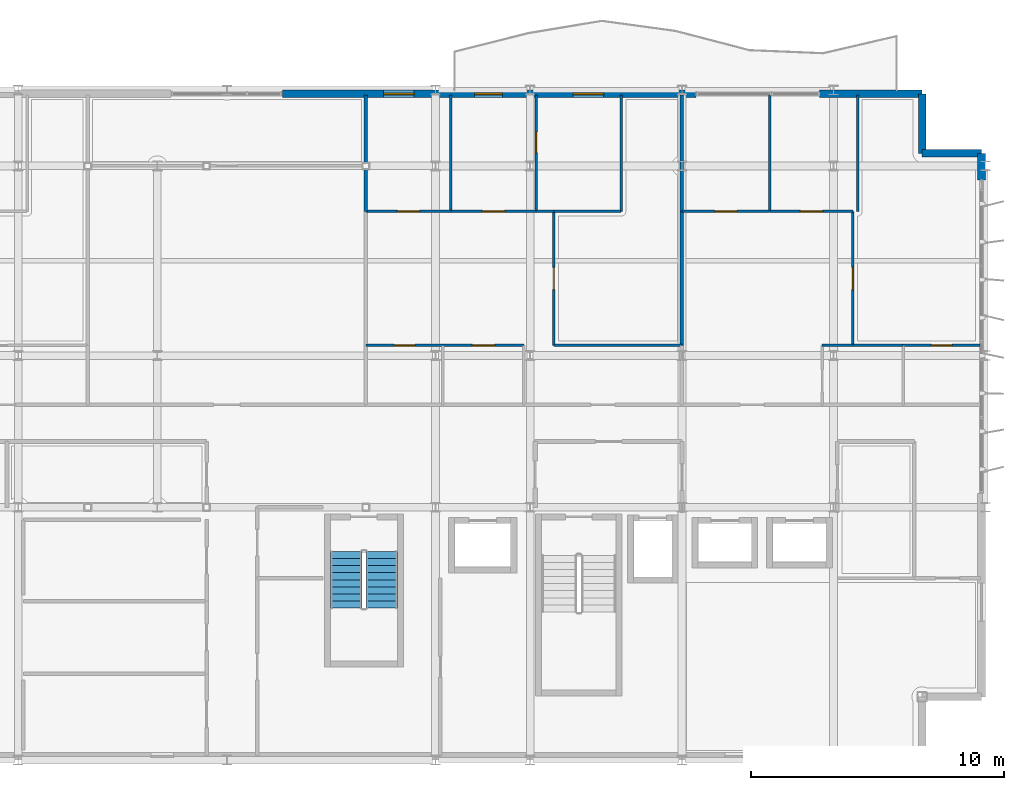
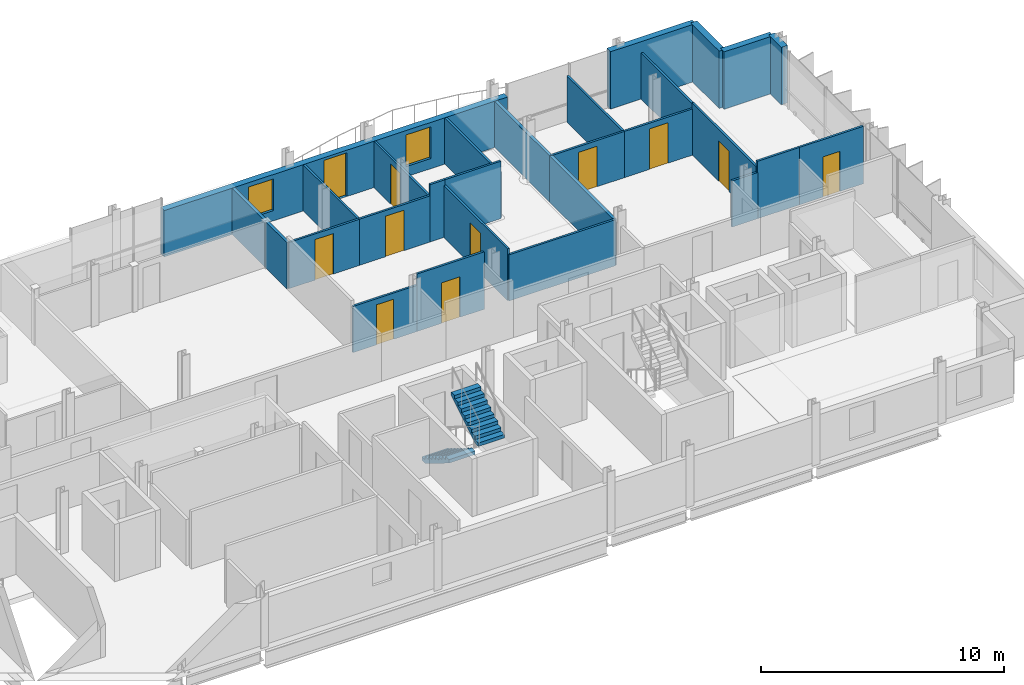
# One storey, part 30 of 35: 28 walls, 11 doors, 2 stair flights, 2 windows, 13 openings, 1 element without a shape of its own.
"""IFC4 building model written with IfcOpenShell, lengths in metres."""

from ifc_helpers import new_model, si_unit, direction, frame, frame_2d, origin, place, context, subcontext, project, spatial, polyline, rectangle, outline, extrude, material, layer, layer_set, type_object, element, fill, aggregate, save


model = new_model("IFC4")

# Units and contexts
model_context = context("Model", 3, precision=1e-05, world=origin(), true_north=direction((0.0, 1.0)))
body_context = subcontext(model_context, "Body", "Model", "MODEL_VIEW")
ifc_project = project(units=[si_unit("LENGTHUNIT", "METRE"), si_unit("AREAUNIT", "SQUARE_METRE"), si_unit("VOLUMEUNIT", "CUBIC_METRE"), si_unit("PLANEANGLEUNIT", "RADIAN"), si_unit("MASSUNIT", "GRAM", prefix="KILO")], contexts=[model_context])

# Site, building, storey
site_placement = place(None, origin())
site = spatial("IfcSite", under=ifc_project, at=site_placement, CompositionType="ELEMENT")
building_placement = place(site_placement, origin())
building = spatial("IfcBuilding", under=site, at=building_placement, Name="Brevholm Reach", CompositionType="ELEMENT")
storey_placement = place(building_placement, frame((0.0, 0.0, 218.0)))
storey = spatial("IfcBuildingStorey", under=building, at=storey_placement, Name="L66", CompositionType="ELEMENT", Elevation=218.0)

# Walls
ifc_material_1 = material(Name="Concrete C40/50", Category="concrete")
ifc_layer_1 = layer(ifc_material_1, 0.300048828125)
ifc_layer_set_1 = layer_set([ifc_layer_1], Name="Concrete C40/50")
wall_type_1 = type_object("IfcWallType", Name="WAL-EXT-300", PredefinedType="STANDARD", material=ifc_layer_set_1)
for number, where, z_axis, x_axis, name in (
    (1, (59.85009765625, 24.0, 0.0), (0.0, 0.0, 1.0), (-1.0, 0.0, 0.0), "L66 Facade Wall WAL-L66-CNE1"),
    (2, (57.5, 24.0, 0.0), (0.0, 0.0, 1.0), (0.0, 1.0, 0.0), "L66 Facade Wall WAL-L66-CNE2"),
):
    element("IfcWall", number, at=place(storey_placement, frame(where, z_axis=z_axis, x_axis=x_axis)), inside=storey, type_object=wall_type_1, Name=name, PredefinedType="STANDARD", context=body_context, shape_type="SweptSolid", body=[
        extrude(rectangle(XDim=2.35009765625, YDim=0.300048828125, at=frame_2d((1.175048828125, 0.0))), origin(), (0.0, 0.0, 1.0), 2.889892578125),
    ])
wall_1_placement = place(storey_placement, frame((59.85009765625, 22.949951171875, 0.0), z_axis=(0.0, 0.0, 1.0), x_axis=(0.0, 1.0, 0.0)))
element("IfcWall", 3, at=wall_1_placement, inside=storey, type_object=wall_type_1, Name="L66 Facade Wall WAL-L66-E-N", PredefinedType="STANDARD", context=body_context, shape_type="SweptSolid", body=[
    extrude(rectangle(XDim=1.050048828125, YDim=0.300048828125, at=frame_2d((0.52490234375, 0.0))), origin(), (0.0, 0.0, 1.0), 2.889892578125),
])
wall_2_placement = place(storey_placement, frame((53.449951171875, 26.35009765625, 0.0), z_axis=(0.0, 0.0, 1.0), x_axis=(1.0, 0.0, 0.0)))
element("IfcWall", 4, at=wall_2_placement, inside=storey, type_object=wall_type_1, Name="L66 Facade Wall WAL-L66-NP-E0", PredefinedType="STANDARD", context=body_context, shape_type="SweptSolid", body=[
    extrude(rectangle(XDim=4.050048828125, YDim=0.300048828125, at=frame_2d((2.02490234375, 0.0))), origin(), (0.0, 0.0, 1.0), 2.889892578125),
])

# Wall, openings, door, windows
wall_3_placement = place(storey_placement, frame((32.199951171875, 26.35009765625, 0.0), z_axis=(0.0, 0.0, 1.0), x_axis=(1.0, 0.0, 0.0)))
wall_3 = element("IfcWall", 5, at=wall_3_placement, inside=storey, type_object=wall_type_1, Name="L66 Facade Wall WAL-L66-NP-ER", PredefinedType="STANDARD", context=body_context, shape_type="SweptSolid", body=[
    extrude(rectangle(XDim=16.35009765625, YDim=0.300048828125, at=frame_2d((8.175048828125, 0.0))), origin(), (0.0, 0.0, 1.0), 2.331787109375),
])
opening_1_placement = place(wall_3_placement, frame((7.60009765625, 0.0, 0.0)))
opening_1 = element("IfcOpeningElement", 6, at=opening_1_placement, cuts=wall_3, Name="Opening BD-01", PredefinedType="OPENING", context=body_context, shape_type="SweptSolid", body=[
    extrude(rectangle(XDim=1.10009765625, YDim=2.199951171875, at=frame_2d((0.550048828125, 1.10009765625))), frame((0.0, 0.159912109375, 0.0), z_axis=(0.0, -1.0, 0.0), x_axis=(1.0, 0.0, 0.0)), (0.0, 0.0, 1.0), 0.320068359375),
])
opening_2_placement = place(wall_3_placement, frame((11.5, 0.0, 0.511962890625)))
opening_2 = element("IfcOpeningElement", 7, at=opening_2_placement, cuts=wall_3, Name="Opening WN-08", PredefinedType="OPENING", context=body_context, shape_type="SweptSolid", body=[
    extrude(rectangle(XDim=1.199951171875, YDim=1.60009765625, at=frame_2d((0.60009765625, 0.800048828125))), frame((0.0, 0.159912109375, 0.0), z_axis=(0.0, -1.0, 0.0), x_axis=(1.0, 0.0, 0.0)), (0.0, 0.0, 1.0), 0.320068359375),
])
opening_3_placement = place(wall_3_placement, frame((4.00634765625, 0.0, 0.511962890625)))
opening_3 = element("IfcOpeningElement", 8, at=opening_3_placement, cuts=wall_3, Name="Opening WN-08", PredefinedType="OPENING", context=body_context, shape_type="SweptSolid", body=[
    extrude(rectangle(XDim=1.199951171875, YDim=1.60009765625, at=frame_2d((0.60009765625, 0.800048828125))), frame((0.0, 0.159912109375, 0.0), z_axis=(0.0, -1.0, 0.0), x_axis=(1.0, 0.0, 0.0)), (0.0, 0.0, 1.0), 0.320068359375),
])
ifc_material_2 = material(Name="Dark Anodised Aluminium and Triple-Glazed Glass", Category="aluminium")
door_type_1 = type_object("IfcDoorType", Name="DOR-BALC-1100", OperationType="NOTDEFINED", PredefinedType="DOOR", material=ifc_material_2)
door_1_placement = place(opening_1_placement, origin())
door_1 = element("IfcDoor", 9, at=door_1_placement, inside=storey, type_object=door_type_1, Name="L66 Exterior Door DOR-L66-BL-NE", OperationType="SINGLE_SWING_LEFT", OverallHeight=2.199951171875, OverallWidth=1.10009765625, PredefinedType="DOOR", context=body_context, shape_type="SweptSolid", body=[
    extrude(rectangle(XDim=1.10009765625, YDim=2.199951171875, at=frame_2d((0.550048828125, 1.10009765625))), frame((0.0, 0.02490234375, 0.0), z_axis=(0.0, -1.0, 0.0), x_axis=(1.0, 0.0, 0.0)), (0.0, 0.0, 1.0), 0.050048828125),
])
fill(opening_1, door_1)
ifc_material_3 = material(Name="Dark Anodised Aluminium and Solar-Control IGU Glass", Category="aluminium")
window_type = type_object("IfcWindowType", Name="WIN-RES-1200", PartitioningType="SINGLE_PANEL", PredefinedType="WINDOW", material=ifc_material_3)
window_1_placement = place(opening_2_placement, origin())
window_1 = element("IfcWindow", 10, at=window_1_placement, inside=storey, type_object=window_type, Name="L66 Window WIN-L66-NP-ER1", OverallHeight=1.60009765625, OverallWidth=1.199951171875, PartitioningType="SINGLE_PANEL", PredefinedType="WINDOW", context=body_context, shape_type="SweptSolid", body=[
    extrude(rectangle(XDim=1.199951171875, YDim=1.60009765625, at=frame_2d((0.60009765625, 0.800048828125))), frame((0.0, 0.030029296875, 0.0), z_axis=(0.0, -1.0, 0.0), x_axis=(1.0, 0.0, 0.0)), (0.0, 0.0, 1.0), 0.06005859375),
])
fill(opening_2, window_1)
window_2_placement = place(opening_3_placement, origin())
window_2 = element("IfcWindow", 11, at=window_2_placement, inside=storey, type_object=window_type, Name="L66 Bedroom Window 074", OverallHeight=1.60009765625, OverallWidth=1.199951171875, PartitioningType="SINGLE_PANEL", PredefinedType="WINDOW", context=body_context, shape_type="SweptSolid", body=[
    extrude(rectangle(XDim=1.199951171875, YDim=1.60009765625, at=frame_2d((0.60009765625, 0.800048828125))), frame((0.0, 0.030029296875, 0.0), z_axis=(0.0, -1.0, 0.0), x_axis=(1.0, 0.0, 0.0)), (0.0, 0.0, 1.0), 0.06005859375),
])
fill(opening_3, window_2)

# Wall, opening, door
ifc_material_4 = material(Name="Moisture-Resistant Acoustic Gypsum Stud Partition 100 mm", Category="gypsum")
ifc_layer_2 = layer(ifc_material_4, 0.10009765625)
ifc_layer_set_2 = layer_set([ifc_layer_2], Name="Moisture-Resistant Acoustic Gypsum Stud Partition 100 mm")
wall_type_2 = type_object("IfcWallType", Name="WAL-PRT-100", PredefinedType="PARTITIONING", material=ifc_layer_set_2)
wall_4_placement = place(storey_placement, frame((35.50390625, 16.39990234375, 0.0), z_axis=(0.0, 0.0, 1.0), x_axis=(1.0, 0.0, 0.0)))
wall_4 = element("IfcWall", 12, at=wall_4_placement, inside=storey, type_object=wall_type_2, Name="L66 Internal Partition 090", PredefinedType="PARTITIONING", context=body_context, shape_type="SweptSolid", body=[
    extrude(rectangle(XDim=3.046142578125, YDim=0.10009765625, at=frame_2d((1.52294921875, 0.0))), origin(), (0.0, 0.0, 1.0), 2.325439453125),
])
opening_4_placement = place(wall_4_placement, frame((1.113037109375, 0.0, 0.0)))
opening_4 = element("IfcOpeningElement", 13, at=opening_4_placement, cuts=wall_4, Name="Opening ID-03", PredefinedType="OPENING", context=body_context, shape_type="SweptSolid", body=[
    extrude(rectangle(XDim=0.820068359375, YDim=2.02001953125, at=frame_2d((0.41015625, 1.010009765625))), frame((0.0, 0.06005859375, 0.0), z_axis=(0.0, -1.0, 0.0), x_axis=(1.0, 0.0, 0.0)), (0.0, 0.0, 1.0), 0.1201171875),
])
ifc_material_5 = material(Name="Moisture-Resistant Painted Timber Internal Bathroom Door", Category="wood")
door_type_2 = type_object("IfcDoorType", Name="DOR-BATH-820", OperationType="NOTDEFINED", PredefinedType="DOOR", material=ifc_material_5)
door_2_placement = place(opening_4_placement, origin())
door_2 = element("IfcDoor", 14, at=door_2_placement, inside=storey, type_object=door_type_2, Name="L66 Internal Door 035", OperationType="SINGLE_SWING_RIGHT", OverallHeight=2.02001953125, OverallWidth=0.820068359375, PredefinedType="DOOR", context=body_context, shape_type="SweptSolid", body=[
    extrude(rectangle(XDim=0.820068359375, YDim=2.02001953125, at=frame_2d((0.41015625, 1.010009765625))), frame((0.0, 0.02490234375, 0.0), z_axis=(0.0, -1.0, 0.0), x_axis=(1.0, 0.0, 0.0)), (0.0, 0.0, 1.0), 0.050048828125),
])
fill(opening_4, door_2)

wall_5_placement = place(storey_placement, frame((38.553955078125, 16.39990234375, 0.0), z_axis=(0.0, 0.0, 1.0), x_axis=(1.0, 0.0, 0.0)))
wall_5 = element("IfcWall", 15, at=wall_5_placement, inside=storey, type_object=wall_type_2, Name="L66 Internal Partition 092", PredefinedType="PARTITIONING", context=body_context, shape_type="SweptSolid", body=[
    extrude(rectangle(XDim=3.196044921875, YDim=0.10009765625, at=frame_2d((1.59814453125, 0.0))), origin(), (0.0, 0.0, 1.0), 2.889892578125),
])
opening_5_placement = place(wall_5_placement, frame((1.157958984375, 0.0, 0.0)))
opening_5 = element("IfcOpeningElement", 16, at=opening_5_placement, cuts=wall_5, Name="Opening ID-01", PredefinedType="OPENING", context=body_context, shape_type="SweptSolid", body=[
    extrude(rectangle(XDim=0.8798828125, YDim=2.0400390625, at=frame_2d((0.43994140625, 1.02001953125))), frame((0.0, 0.06005859375, 0.0), z_axis=(0.0, -1.0, 0.0), x_axis=(1.0, 0.0, 0.0)), (0.0, 0.0, 1.0), 0.1201171875),
])
ifc_material_6 = material(Name="Lacquered Ash Solid-Core Acoustic Internal Door", Category="timber")
door_type_3 = type_object("IfcDoorType", Name="DOR-INT-880", OperationType="NOTDEFINED", PredefinedType="DOOR", material=ifc_material_6)
door_3_placement = place(opening_5_placement, origin())
door_3 = element("IfcDoor", 17, at=door_3_placement, inside=storey, type_object=door_type_3, Name="L66 Internal Door 036", OperationType="SINGLE_SWING_LEFT", OverallHeight=2.0400390625, OverallWidth=0.8798828125, PredefinedType="DOOR", context=body_context, shape_type="SweptSolid", body=[
    extrude(rectangle(XDim=0.8798828125, YDim=2.0400390625, at=frame_2d((0.43994140625, 1.02001953125))), frame((0.0, 0.02490234375, 0.0), z_axis=(0.0, -1.0, 0.0), x_axis=(1.0, 0.0, 0.0)), (0.0, 0.0, 1.0), 0.050048828125),
])
fill(opening_5, door_3)

# Wall
wall_6_placement = place(storey_placement, frame((38.866943359375, 21.699951171875, 0.0), z_axis=(0.0, 0.0, 1.0), x_axis=(0.0, 1.0, 0.0)))
element("IfcWall", 18, at=wall_6_placement, inside=storey, type_object=wall_type_2, Name="L66 Internal Partition 093", PredefinedType="PARTITIONING", context=body_context, shape_type="SweptSolid", body=[
    extrude(rectangle(XDim=4.60009765625, YDim=0.10009765625, at=frame_2d((2.300048828125, 0.0))), origin(), (0.0, 0.0, 1.0), 2.325439453125),
])

# Wall, opening, door
wall_7_placement = place(storey_placement, frame((35.50390625, 21.699951171875, 0.0), z_axis=(0.0, 0.0, 1.0), x_axis=(1.0, 0.0, 0.0)))
wall_7 = element("IfcWall", 19, at=wall_7_placement, inside=storey, type_object=wall_type_2, Name="L66 Internal Partition 094", PredefinedType="PARTITIONING", context=body_context, shape_type="SweptSolid", body=[
    extrude(rectangle(XDim=3.363037109375, YDim=0.10009765625, at=frame_2d((1.681640625, 0.0))), origin(), (0.0, 0.0, 1.0), 2.325439453125),
])
opening_6_placement = place(wall_7_placement, frame((1.241455078125, 0.0, 0.0)))
opening_6 = element("IfcOpeningElement", 20, at=opening_6_placement, cuts=wall_7, Name="Opening ID-01", PredefinedType="OPENING", context=body_context, shape_type="SweptSolid", body=[
    extrude(rectangle(XDim=0.8798828125, YDim=2.0400390625, at=frame_2d((0.43994140625, 1.02001953125))), frame((0.0, 0.06005859375, 0.0), z_axis=(0.0, -1.0, 0.0), x_axis=(1.0, 0.0, 0.0)), (0.0, 0.0, 1.0), 0.1201171875),
])
door_4_placement = place(opening_6_placement, origin())
door_4 = element("IfcDoor", 21, at=door_4_placement, inside=storey, type_object=door_type_3, Name="L66 Internal Door 037", OperationType="SINGLE_SWING_RIGHT", OverallHeight=2.0400390625, OverallWidth=0.8798828125, PredefinedType="DOOR", context=body_context, shape_type="SweptSolid", body=[
    extrude(rectangle(XDim=0.8798828125, YDim=2.0400390625, at=frame_2d((0.43994140625, 1.02001953125))), frame((0.0, 0.02490234375, 0.0), z_axis=(0.0, -1.0, 0.0), x_axis=(1.0, 0.0, 0.0)), (0.0, 0.0, 1.0), 0.050048828125),
])
fill(opening_6, door_4)

wall_8_placement = place(storey_placement, frame((42.23388671875, 21.699951171875, 0.0), z_axis=(0.0, 0.0, 1.0), x_axis=(0.0, 1.0, 0.0)))
wall_8 = element("IfcWall", 22, at=wall_8_placement, inside=storey, type_object=wall_type_2, Name="L66 Internal Partition 095", PredefinedType="PARTITIONING", context=body_context, shape_type="SweptSolid", body=[
    extrude(rectangle(XDim=4.60009765625, YDim=0.10009765625, at=frame_2d((2.300048828125, 0.0))), origin(), (0.0, 0.0, 1.0), 2.325439453125),
])
opening_7_placement = place(wall_8_placement, frame((2.330078125, 0.0, 0.0)))
opening_7 = element("IfcOpeningElement", 23, at=opening_7_placement, cuts=wall_8, Name="Opening ID-03", PredefinedType="OPENING", context=body_context, shape_type="SweptSolid", body=[
    extrude(rectangle(XDim=0.820068359375, YDim=2.02001953125, at=frame_2d((0.41015625, 1.010009765625))), frame((0.0, 0.06005859375, 0.0), z_axis=(0.0, -1.0, 0.0), x_axis=(1.0, 0.0, 0.0)), (0.0, 0.0, 1.0), 0.1201171875),
])
door_5_placement = place(opening_7_placement, origin())
door_5 = element("IfcDoor", 24, at=door_5_placement, inside=storey, type_object=door_type_2, Name="L66 Access Door 047", OperationType="SINGLE_SWING_RIGHT", OverallHeight=2.02001953125, OverallWidth=0.820068359375, PredefinedType="DOOR", context=body_context, shape_type="SweptSolid", body=[
    extrude(rectangle(XDim=0.820068359375, YDim=2.02001953125, at=frame_2d((0.41015625, 1.010009765625))), frame((0.0, 0.02490234375, 0.0), z_axis=(0.0, -1.0, 0.0), x_axis=(1.0, 0.0, 0.0)), (0.0, 0.0, 1.0), 0.050048828125),
])
fill(opening_7, door_5)

wall_9_placement = place(storey_placement, frame((38.87109375, 21.699951171875, 0.0), z_axis=(0.0, 0.0, 1.0), x_axis=(1.0, 0.0, 0.0)))
wall_9 = element("IfcWall", 25, at=wall_9_placement, inside=storey, type_object=wall_type_2, Name="L66 Internal Partition 096", PredefinedType="PARTITIONING", context=body_context, shape_type="SweptSolid", body=[
    extrude(rectangle(XDim=3.36279296875, YDim=0.10009765625, at=frame_2d((1.681396484375, 0.0))), origin(), (0.0, 0.0, 1.0), 2.325439453125),
])
opening_8_placement = place(wall_9_placement, frame((1.241455078125, 0.0, 0.0)))
opening_8 = element("IfcOpeningElement", 26, at=opening_8_placement, cuts=wall_9, Name="Opening ID-01", PredefinedType="OPENING", context=body_context, shape_type="SweptSolid", body=[
    extrude(rectangle(XDim=0.8798828125, YDim=2.0400390625, at=frame_2d((0.43994140625, 1.02001953125))), frame((0.0, 0.06005859375, 0.0), z_axis=(0.0, -1.0, 0.0), x_axis=(1.0, 0.0, 0.0)), (0.0, 0.0, 1.0), 0.1201171875),
])
door_6_placement = place(opening_8_placement, origin())
door_6 = element("IfcDoor", 27, at=door_6_placement, inside=storey, type_object=door_type_3, Name="L66 Internal Door 038", OperationType="SINGLE_SWING_LEFT", OverallHeight=2.0400390625, OverallWidth=0.8798828125, PredefinedType="DOOR", context=body_context, shape_type="SweptSolid", body=[
    extrude(rectangle(XDim=0.8798828125, YDim=2.0400390625, at=frame_2d((0.43994140625, 1.02001953125))), frame((0.0, 0.02490234375, 0.0), z_axis=(0.0, -1.0, 0.0), x_axis=(1.0, 0.0, 0.0)), (0.0, 0.0, 1.0), 0.050048828125),
])
fill(opening_8, door_6)

# Walls
wall_10_placement = place(storey_placement, frame((42.923583984375, 21.699951171875, 0.0), z_axis=(0.0, 0.0, 1.0), x_axis=(1.0, 0.0, 0.0)))
element("IfcWall", 28, at=wall_10_placement, inside=storey, type_object=wall_type_2, Name="L66 Internal Partition 097", PredefinedType="PARTITIONING", context=body_context, shape_type="SweptSolid", body=[
    extrude(rectangle(XDim=2.677490234375, YDim=0.10009765625, at=frame_2d((1.3388671875, 0.0))), origin(), (0.0, 0.0, 1.0), 2.889892578125),
])
wall_11_placement = place(storey_placement, frame((45.60107421875, 21.699951171875, 0.0), z_axis=(0.0, 0.0, 1.0), x_axis=(0.0, 1.0, 0.0)))
element("IfcWall", 29, at=wall_11_placement, inside=storey, type_object=wall_type_2, Name="L66 Internal Partition 098", PredefinedType="PARTITIONING", context=body_context, shape_type="SweptSolid", body=[
    extrude(rectangle(XDim=4.60009765625, YDim=0.10009765625, at=frame_2d((2.300048828125, 0.0))), origin(), (0.0, 0.0, 1.0), 2.325439453125),
])
wall_12_placement = place(storey_placement, frame((42.238037109375, 21.699951171875, 0.0), z_axis=(0.0, 0.0, 1.0), x_axis=(1.0, 0.0, 0.0)))
element("IfcWall", 30, at=wall_12_placement, inside=storey, type_object=wall_type_2, Name="L66 Internal Partition 099", PredefinedType="PARTITIONING", context=body_context, shape_type="SweptSolid", body=[
    extrude(rectangle(XDim=0.704345703125, YDim=0.10009765625, at=frame_2d((0.35205078125, 0.0))), origin(), (0.0, 0.0, 1.0), 2.889892578125),
])
wall_13_placement = place(storey_placement, frame((42.93505859375, 16.39990234375, 0.0), z_axis=(0.0, 0.0, 1.0), x_axis=(1.0, 0.0, 0.0)))
element("IfcWall", 31, at=wall_13_placement, inside=storey, type_object=wall_type_2, Name="L66 Internal Partition 100", PredefinedType="PARTITIONING", context=body_context, shape_type="SweptSolid", body=[
    extrude(rectangle(XDim=5.06494140625, YDim=0.10009765625, at=frame_2d((2.532470703125, 0.0))), origin(), (0.0, 0.0, 1.0), 2.325439453125),
])

# Wall, opening, door
wall_14_placement = place(storey_placement, frame((42.93505859375, 16.39990234375, 0.0), z_axis=(0.0, 0.0, 1.0), x_axis=(0.0, 1.0, 0.0)))
wall_14 = element("IfcWall", 32, at=wall_14_placement, inside=storey, type_object=wall_type_2, Name="L66 Internal Partition 101", PredefinedType="PARTITIONING", context=body_context, shape_type="SweptSolid", body=[
    extrude(rectangle(XDim=5.296142578125, YDim=0.10009765625, at=frame_2d((2.64794921875, 0.0))), origin(), (0.0, 0.0, 1.0), 2.613525390625),
])
opening_9_placement = place(wall_14_placement, frame((2.2080078125, 0.0, 0.0)))
opening_9 = element("IfcOpeningElement", 33, at=opening_9_placement, cuts=wall_14, Name="Opening ID-01", PredefinedType="OPENING", context=body_context, shape_type="SweptSolid", body=[
    extrude(rectangle(XDim=0.8798828125, YDim=2.0400390625, at=frame_2d((0.43994140625, 1.02001953125))), frame((0.0, 0.06005859375, 0.0), z_axis=(0.0, -1.0, 0.0), x_axis=(1.0, 0.0, 0.0)), (0.0, 0.0, 1.0), 0.1201171875),
])
door_7_placement = place(opening_9_placement, origin())
door_7 = element("IfcDoor", 34, at=door_7_placement, inside=storey, type_object=door_type_3, Name="L66 Internal Door 039", OperationType="SINGLE_SWING_RIGHT", OverallHeight=2.0400390625, OverallWidth=0.8798828125, PredefinedType="DOOR", context=body_context, shape_type="SweptSolid", body=[
    extrude(rectangle(XDim=0.8798828125, YDim=2.0400390625, at=frame_2d((0.43994140625, 1.02001953125))), frame((0.0, 0.02490234375, 0.0), z_axis=(0.0, -1.0, 0.0), x_axis=(1.0, 0.0, 0.0)), (0.0, 0.0, 1.0), 0.050048828125),
])
fill(opening_9, door_7)

wall_15_placement = place(storey_placement, frame((56.75, 16.39990234375, 0.0), z_axis=(0.0, 0.0, 1.0), x_axis=(1.0, 0.0, 0.0)))
wall_15 = element("IfcWall", 35, at=wall_15_placement, inside=storey, type_object=wall_type_2, Name="L66 Internal Partition 106", PredefinedType="PARTITIONING", context=body_context, shape_type="SweptSolid", body=[
    extrude(rectangle(XDim=3.050048828125, YDim=0.10009765625, at=frame_2d((1.52490234375, 0.0))), origin(), (0.0, 0.0, 1.0), 2.889892578125),
])
opening_10_placement = place(wall_15_placement, frame((1.114990234375, 0.0, 0.0)))
opening_10 = element("IfcOpeningElement", 36, at=opening_10_placement, cuts=wall_15, Name="Opening ID-03", PredefinedType="OPENING", context=body_context, shape_type="SweptSolid", body=[
    extrude(rectangle(XDim=0.820068359375, YDim=2.02001953125, at=frame_2d((0.41015625, 1.010009765625))), frame((0.0, 0.06005859375, 0.0), z_axis=(0.0, -1.0, 0.0), x_axis=(1.0, 0.0, 0.0)), (0.0, 0.0, 1.0), 0.1201171875),
])
door_8_placement = place(opening_10_placement, origin())
door_8 = element("IfcDoor", 37, at=door_8_placement, inside=storey, type_object=door_type_2, Name="L66 Access Door 048", OperationType="SINGLE_SWING_LEFT", OverallHeight=2.02001953125, OverallWidth=0.820068359375, PredefinedType="DOOR", context=body_context, shape_type="SweptSolid", body=[
    extrude(rectangle(XDim=0.820068359375, YDim=2.02001953125, at=frame_2d((0.41015625, 1.010009765625))), frame((0.0, 0.02490234375, 0.0), z_axis=(0.0, -1.0, 0.0), x_axis=(1.0, 0.0, 0.0)), (0.0, 0.0, 1.0), 0.050048828125),
])
fill(opening_10, door_8)

# Walls
wall_16_placement = place(storey_placement, frame((54.754638671875, 16.39990234375, 0.0), z_axis=(0.0, 0.0, 1.0), x_axis=(1.0, 0.0, 0.0)))
element("IfcWall", 38, at=wall_16_placement, inside=storey, type_object=wall_type_2, Name="L66 Internal Partition 107", PredefinedType="PARTITIONING", context=body_context, shape_type="SweptSolid", body=[
    extrude(rectangle(XDim=1.991455078125, YDim=0.10009765625, at=frame_2d((0.99560546875, 0.0))), origin(), (0.0, 0.0, 1.0), 2.889892578125),
])
wall_17_placement = place(storey_placement, frame((53.550048828125, 16.39990234375, 0.0), z_axis=(0.0, 0.0, 1.0), x_axis=(1.0, 0.0, 0.0)))
element("IfcWall", 39, at=wall_17_placement, inside=storey, type_object=wall_type_2, Name="L66 Internal Partition 108", PredefinedType="PARTITIONING", context=body_context, shape_type="SweptSolid", body=[
    extrude(rectangle(XDim=1.22314453125, YDim=0.10009765625, at=frame_2d((0.611572265625, 0.0))), origin(), (0.0, 0.0, 1.0), 2.325439453125),
])
wall_18_placement = place(storey_placement, frame((51.47509765625, 21.699951171875, 0.0), z_axis=(0.0, 0.0, 1.0), x_axis=(0.0, 1.0, 0.0)))
element("IfcWall", 40, at=wall_18_placement, inside=storey, type_object=wall_type_2, Name="L66 Internal Partition 110", PredefinedType="PARTITIONING", context=body_context, shape_type="SweptSolid", body=[
    extrude(rectangle(XDim=4.60009765625, YDim=0.10009765625, at=frame_2d((2.300048828125, 0.0))), origin(), (0.0, 0.0, 1.0), 2.325439453125),
])

# Wall, opening, door
wall_19_placement = place(storey_placement, frame((48.00390625, 21.699951171875, 0.0), z_axis=(0.0, 0.0, 1.0), x_axis=(1.0, 0.0, 0.0)))
wall_19 = element("IfcWall", 41, at=wall_19_placement, inside=storey, type_object=wall_type_2, Name="L66 Internal Partition 111", PredefinedType="PARTITIONING", context=body_context, shape_type="SweptSolid", body=[
    extrude(rectangle(XDim=3.47119140625, YDim=0.10009765625, at=frame_2d((1.735595703125, 0.0))), origin(), (0.0, 0.0, 1.0), 2.325439453125),
])
opening_11_placement = place(wall_19_placement, frame((1.29541015625, 0.0, 0.0)))
opening_11 = element("IfcOpeningElement", 42, at=opening_11_placement, cuts=wall_19, Name="Opening ID-01", PredefinedType="OPENING", context=body_context, shape_type="SweptSolid", body=[
    extrude(rectangle(XDim=0.8798828125, YDim=2.0400390625, at=frame_2d((0.43994140625, 1.02001953125))), frame((0.0, 0.06005859375, 0.0), z_axis=(0.0, -1.0, 0.0), x_axis=(1.0, 0.0, 0.0)), (0.0, 0.0, 1.0), 0.1201171875),
])
door_9_placement = place(opening_11_placement, origin())
door_9 = element("IfcDoor", 43, at=door_9_placement, inside=storey, type_object=door_type_3, Name="L66 Internal Door 041", OperationType="SINGLE_SWING_RIGHT", OverallHeight=2.0400390625, OverallWidth=0.8798828125, PredefinedType="DOOR", context=body_context, shape_type="SweptSolid", body=[
    extrude(rectangle(XDim=0.8798828125, YDim=2.0400390625, at=frame_2d((0.43994140625, 1.02001953125))), frame((0.0, 0.02490234375, 0.0), z_axis=(0.0, -1.0, 0.0), x_axis=(1.0, 0.0, 0.0)), (0.0, 0.0, 1.0), 0.050048828125),
])
fill(opening_11, door_9)

# Wall
wall_20_placement = place(storey_placement, frame((54.949951171875, 21.699951171875, 0.0), z_axis=(0.0, 0.0, 1.0), x_axis=(0.0, 1.0, 0.0)))
element("IfcWall", 44, at=wall_20_placement, inside=storey, type_object=wall_type_2, Name="L66 Internal Partition 112", PredefinedType="PARTITIONING", context=body_context, shape_type="SweptSolid", body=[
    extrude(rectangle(XDim=4.60009765625, YDim=0.10009765625, at=frame_2d((2.300048828125, 0.0))), origin(), (0.0, 0.0, 1.0), 2.325439453125),
])

# Wall, opening, door
wall_21_placement = place(storey_placement, frame((51.47900390625, 21.699951171875, 0.0), z_axis=(0.0, 0.0, 1.0), x_axis=(1.0, 0.0, 0.0)))
wall_21 = element("IfcWall", 45, at=wall_21_placement, inside=storey, type_object=wall_type_2, Name="L66 Internal Partition 113", PredefinedType="PARTITIONING", context=body_context, shape_type="SweptSolid", body=[
    extrude(rectangle(XDim=3.294189453125, YDim=0.10009765625, at=frame_2d((1.64697265625, 0.0))), origin(), (0.0, 0.0, 1.0), 2.325439453125),
])
opening_12_placement = place(wall_21_placement, frame((1.20703125, 0.0, 0.0)))
opening_12 = element("IfcOpeningElement", 46, at=opening_12_placement, cuts=wall_21, Name="Opening ID-01", PredefinedType="OPENING", context=body_context, shape_type="SweptSolid", body=[
    extrude(rectangle(XDim=0.8798828125, YDim=2.0400390625, at=frame_2d((0.43994140625, 1.02001953125))), frame((0.0, 0.06005859375, 0.0), z_axis=(0.0, -1.0, 0.0), x_axis=(1.0, 0.0, 0.0)), (0.0, 0.0, 1.0), 0.1201171875),
])
door_10_placement = place(opening_12_placement, origin())
door_10 = element("IfcDoor", 47, at=door_10_placement, inside=storey, type_object=door_type_3, Name="L66 Internal Door 042", OperationType="SINGLE_SWING_LEFT", OverallHeight=2.0400390625, OverallWidth=0.8798828125, PredefinedType="DOOR", context=body_context, shape_type="SweptSolid", body=[
    extrude(rectangle(XDim=0.8798828125, YDim=2.0400390625, at=frame_2d((0.43994140625, 1.02001953125))), frame((0.0, 0.02490234375, 0.0), z_axis=(0.0, -1.0, 0.0), x_axis=(1.0, 0.0, 0.0)), (0.0, 0.0, 1.0), 0.050048828125),
])
fill(opening_12, door_10)

wall_22_placement = place(storey_placement, frame((54.76611328125, 16.404052734375, 0.0), z_axis=(0.0, 0.0, 1.0), x_axis=(0.0, 1.0, 0.0)))
wall_22 = element("IfcWall", 48, at=wall_22_placement, inside=storey, type_object=wall_type_2, Name="L66 Internal Partition 114", PredefinedType="PARTITIONING", context=body_context, shape_type="SweptSolid", body=[
    extrude(rectangle(XDim=5.2919921875, YDim=0.10009765625, at=frame_2d((2.64599609375, 0.0))), origin(), (0.0, 0.0, 1.0), 2.613525390625),
])
opening_13_placement = place(wall_22_placement, frame((2.2060546875, 0.0, 0.0)))
opening_13 = element("IfcOpeningElement", 49, at=opening_13_placement, cuts=wall_22, Name="Opening ID-01", PredefinedType="OPENING", context=body_context, shape_type="SweptSolid", body=[
    extrude(rectangle(XDim=0.8798828125, YDim=2.0400390625, at=frame_2d((0.43994140625, 1.02001953125))), frame((0.0, 0.06005859375, 0.0), z_axis=(0.0, -1.0, 0.0), x_axis=(1.0, 0.0, 0.0)), (0.0, 0.0, 1.0), 0.1201171875),
])
door_11_placement = place(opening_13_placement, origin())
door_11 = element("IfcDoor", 50, at=door_11_placement, inside=storey, type_object=door_type_3, Name="L66 Internal Door 043", OperationType="SINGLE_SWING_RIGHT", OverallHeight=2.0400390625, OverallWidth=0.8798828125, PredefinedType="DOOR", context=body_context, shape_type="SweptSolid", body=[
    extrude(rectangle(XDim=0.8798828125, YDim=2.0400390625, at=frame_2d((0.43994140625, 1.02001953125))), frame((0.0, 0.02490234375, 0.0), z_axis=(0.0, -1.0, 0.0), x_axis=(1.0, 0.0, 0.0)), (0.0, 0.0, 1.0), 0.050048828125),
])
fill(opening_13, door_11)

# Walls
ifc_material_7 = material(Name="Twin-Stud Acoustic Fire-Rated Gypsum Partition 140 mm", Category="gypsum")
ifc_layer_3 = layer(ifc_material_7, 0.139892578125)
ifc_layer_set_3 = layer_set([ifc_layer_3], Name="Twin-Stud Acoustic Fire-Rated Gypsum Partition 140 mm")
wall_type_3 = type_object("IfcWallType", Name="WAL-PRT-140", PredefinedType="PARTITIONING", material=ifc_layer_set_3)
wall_23_placement = place(storey_placement, frame((35.5, 21.688720703125, 0.0), z_axis=(0.0, 0.0, 1.0), x_axis=(0.0, 1.0, 0.0)))
element("IfcWall", 51, at=wall_23_placement, inside=storey, type_object=wall_type_3, Name="L66 Internal Partition 086", PredefinedType="PARTITIONING", context=body_context, shape_type="SweptSolid", body=[
    extrude(rectangle(XDim=1.811279296875, YDim=0.139892578125, at=frame_2d((0.90576171875, 0.0))), origin(), (0.0, 0.0, 1.0), 2.325439453125),
])
wall_24_placement = place(storey_placement, frame((35.5, 23.50390625, 0.0), z_axis=(0.0, 0.0, 1.0), x_axis=(0.0, 1.0, 0.0)))
element("IfcWall", 52, at=wall_24_placement, inside=storey, type_object=wall_type_3, Name="L66 Internal Partition 088", PredefinedType="PARTITIONING", context=body_context, shape_type="SweptSolid", body=[
    extrude(rectangle(XDim=2.796142578125, YDim=0.139892578125, at=frame_2d((1.39794921875, 0.0))), origin(), (0.0, 0.0, 1.0), 2.325439453125),
])
wall_25_placement = place(storey_placement, frame((48.0, 21.688720703125, 0.0), z_axis=(0.0, 0.0, 1.0), x_axis=(0.0, 1.0, 0.0)))
element("IfcWall", 53, at=wall_25_placement, inside=storey, type_object=wall_type_3, Name="L66 Internal Partition 102", PredefinedType="PARTITIONING", context=body_context, shape_type="SweptSolid", body=[
    extrude(rectangle(XDim=4.611328125, YDim=0.139892578125, at=frame_2d((2.3056640625, 0.0))), origin(), (0.0, 0.0, 1.0), 2.325439453125),
])
wall_26_placement = place(storey_placement, frame((48.0, 16.39990234375, 0.0), z_axis=(0.0, 0.0, 1.0), x_axis=(0.0, 1.0, 0.0)))
element("IfcWall", 54, at=wall_26_placement, inside=storey, type_object=wall_type_3, Name="L66 Internal Partition 103", PredefinedType="PARTITIONING", context=body_context, shape_type="SweptSolid", body=[
    extrude(rectangle(XDim=5.307373046875, YDim=0.139892578125, at=frame_2d((2.65380859375, 0.0))), origin(), (0.0, 0.0, 1.0), 2.325439453125),
])

# Stair, stair flights
ifc_material_8 = material(Name="Precast Concrete C40/50", Category="concrete")
stair_type = type_object("IfcStairType", Name="STR-ESC-1250", PredefinedType="DOUBLE_RETURN_STAIR", material=ifc_material_8)
stair_placement = place(storey_placement, origin())
stair = element("IfcStair", 55, at=stair_placement, inside=storey, type_object=stair_type, Name="L66 ST-3", PredefinedType="DOUBLE_RETURN_STAIR")
ifc_material_9 = material(Name="Precast Concrete C40/50", Category="concrete")
ifc_layer_4 = layer(ifc_material_9, 0.1650390625)
ifc_layer_set_4 = layer_set([ifc_layer_4], Name="Precast Concrete C40/50")
stair_flight_type = type_object("IfcStairFlightType", Name="STF-PRC-165", PredefinedType="STRAIGHT", material=ifc_layer_set_4)
stair_flight_1_placement = place(storey_placement, frame((34.72509765625, 8.25, 0.0), z_axis=(0.0, 0.0, 1.0), x_axis=(0.0, -1.0, 0.0)))
stair_flight_1 = element("IfcStairFlight", 56, at=stair_flight_1_placement, type_object=stair_flight_type, Name="ST-3 flight 1", NumberOfRisers=9, NumberOfTreads=8, PredefinedType="STRAIGHT", RiserHeight=0.172222222, TreadLength=0.28, context=body_context, shape_type="SweptSolid", body=[
    extrude(outline(polyline([(0.0, 0.0), (0.0, 0.172119140625), (0.280029296875, 0.172119140625), (0.280029296875, 0.344482421875), (0.56005859375, 0.344482421875), (0.56005859375, 0.5166015625), (0.840087890625, 0.5166015625), (0.840087890625, 0.68896484375), (1.1201171875, 0.68896484375), (1.1201171875, 0.861083984375), (1.39990234375, 0.861083984375), (1.39990234375, 1.033447265625), (1.679931640625, 1.033447265625), (1.679931640625, 1.20556640625), (1.9599609375, 1.20556640625), (1.9599609375, 1.377685546875), (2.239990234375, 1.377685546875), (2.239990234375, 1.550048828125), (2.239990234375, 1.201904296875), (0.2861328125, 0.0), (0.0, 0.0)])), frame((0.0, 0.625, 0.0), z_axis=(0.0, -1.0, 0.0), x_axis=(1.0, 0.0, 0.0)), (0.0, 0.0, 1.0), 1.25),
])
stair_flight_2_placement = place(storey_placement, frame((36.125, 6.010009765625, 1.550048828125), z_axis=(0.0, 0.0, 1.0), x_axis=(0.0, 1.0, 0.0)))
stair_flight_2 = element("IfcStairFlight", 57, at=stair_flight_2_placement, type_object=stair_flight_type, Name="ST-3 flight 2", NumberOfRisers=9, NumberOfTreads=8, PredefinedType="STRAIGHT", RiserHeight=0.172222222, TreadLength=0.28, context=body_context, shape_type="SweptSolid", body=[
    extrude(outline(polyline([(0.0, 0.0), (0.0, 0.172119140625), (0.280029296875, 0.172119140625), (0.280029296875, 0.344482421875), (0.56005859375, 0.344482421875), (0.56005859375, 0.5166015625), (0.840087890625, 0.5166015625), (0.840087890625, 0.68896484375), (1.1201171875, 0.68896484375), (1.1201171875, 0.861083984375), (1.39990234375, 0.861083984375), (1.39990234375, 1.033447265625), (1.679931640625, 1.033447265625), (1.679931640625, 1.20556640625), (1.9599609375, 1.20556640625), (1.9599609375, 1.377685546875), (2.239990234375, 1.377685546875), (2.239990234375, 1.550048828125), (2.239990234375, 1.201904296875), (0.2861328125, 0.0), (0.0, 0.0)])), frame((0.0, 0.625, 0.0), z_axis=(0.0, -1.0, 0.0), x_axis=(1.0, 0.0, 0.0)), (0.0, 0.0, 1.0), 1.25),
])
aggregate(stair, [stair_flight_1, stair_flight_2])

save(model, "model.ifc")
